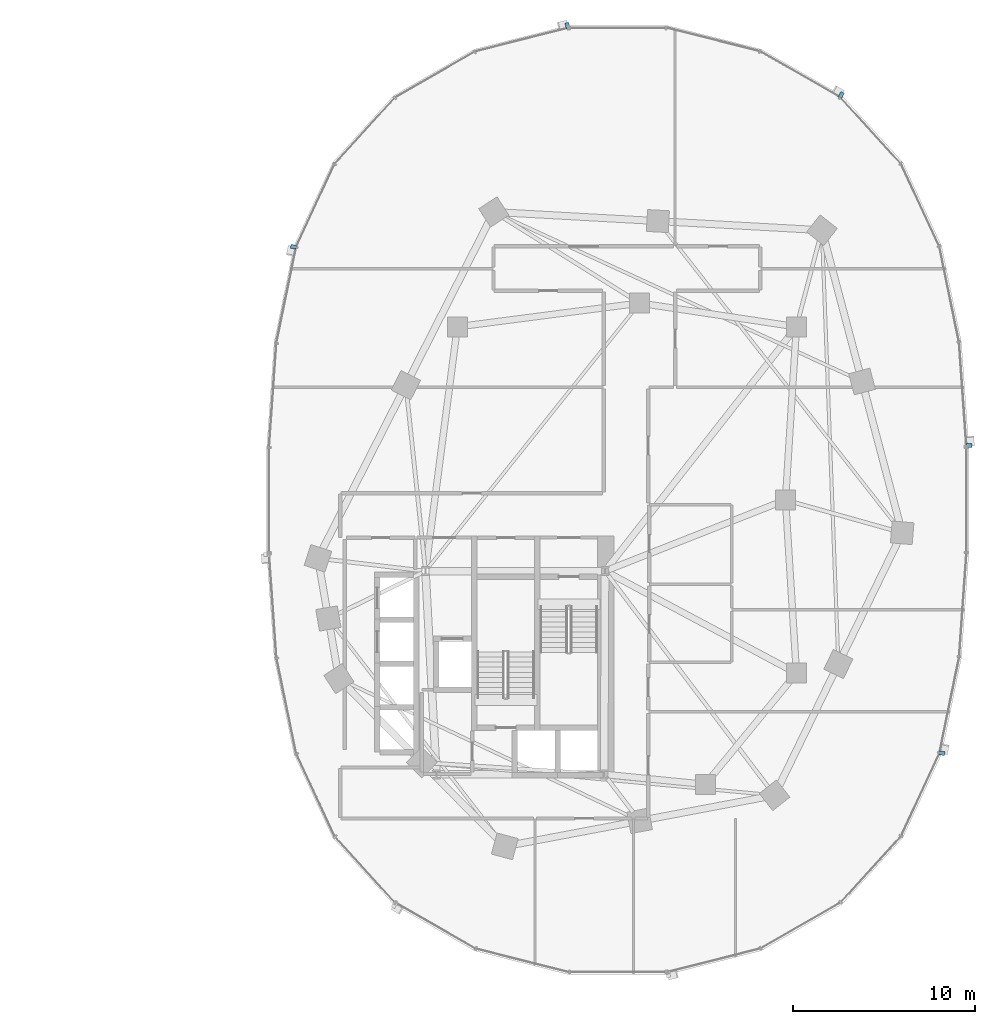
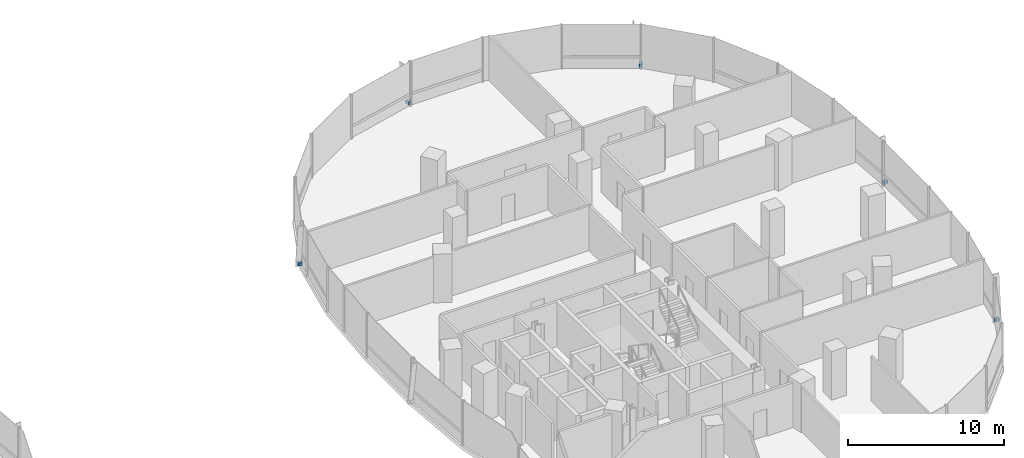
# One storey, part 17 of 22: 5 discrete accessories.
"""IFC4 building model written with IfcOpenShell, lengths in metres."""

from ifc_helpers import new_model, si_unit, direction, frame, origin, origin_2d, place, context, subcontext, project, spatial, rectangle, extrude, material, type_object, element, save


model = new_model("IFC4")

# Units and contexts
model_context = context("Model", 3, precision=1e-05, world=origin(), true_north=direction((0.0, 1.0)))
body_context = subcontext(model_context, "Body", "Model", "MODEL_VIEW")
ifc_project = project(units=[si_unit("LENGTHUNIT", "METRE"), si_unit("AREAUNIT", "SQUARE_METRE"), si_unit("VOLUMEUNIT", "CUBIC_METRE"), si_unit("PLANEANGLEUNIT", "RADIAN"), si_unit("MASSUNIT", "GRAM", prefix="KILO"), si_unit("THERMODYNAMICTEMPERATUREUNIT", "KELVIN"), si_unit("POWERUNIT", "WATT")], contexts=[model_context])

# Site, building, storey
site_placement = place(None, origin())
site = spatial("IfcSite", under=ifc_project, at=site_placement, CompositionType="ELEMENT")
building_placement = place(site_placement, origin())
building = spatial("IfcBuilding", under=site, at=building_placement, Name="Cundina Bronze Exchange", CompositionType="ELEMENT")
storey_placement = place(building_placement, frame((0.0, 0.0, 39.199951171875)))
storey = spatial("IfcBuildingStorey", under=building, at=storey_placement, Name="L09", CompositionType="ELEMENT", Elevation=39.199951171875)

# Discrete accessories
ifc_material = material(Name="Anodised Bronze Aluminium 6063-T6", Category="aluminium")
discrete_accessory_type = type_object("IfcDiscreteAccessoryType", Name="ACC-BRK-FIN", PredefinedType="BRACKET", material=ifc_material)
for number, where, z_axis, x_axis, name in (
    (1, (51.264404296875, 2.986083984375, 0.10009765625), (0.0, 0.0, 1.0), (-0.070278787473, 0.997527389113, 0.0), "L09 Fin Support Bracket 1"),
    (2, (44.259521484375, 22.21875, 0.10009765625), (0.0, 0.0, 1.0), (-0.867105478933, 0.498124571171, 0.0), "L09 Fin Support Bracket 5"),
    (3, (29.23974609375, 26.03173828125, 0.10009765625), (0.0, 0.0, 1.0), (-0.969488149345, -0.245138182011, 0.0), "L09 Fin Support Bracket 1"),
    (4, (14.211669921875, 13.8896484375, 0.10009765625), (0.0, 0.0, 1.0), (-0.201419845156, -0.979505000486, 0.0), "L09 Fin Support Bracket 5"),
    (5, (49.788330078125, -13.8896484375, 0.10009765625), (0.0, 0.0, 1.0), (0.201419845156, 0.979505000486, 0.0), "L09 Fin Support Bracket 5"),
):
    element("IfcDiscreteAccessory", number, at=place(storey_placement, frame(where, z_axis=z_axis, x_axis=x_axis)), inside=storey, type_object=discrete_accessory_type, Name=name, PredefinedType="BRACKET", context=body_context, shape_type="SweptSolid", body=[
        extrude(rectangle(XDim=0.219970703125, YDim=0.320068359375, at=origin_2d()), origin(), (0.0, 0.0, 1.0), 0.239990234375),
    ])

save(model, "model.ifc")
